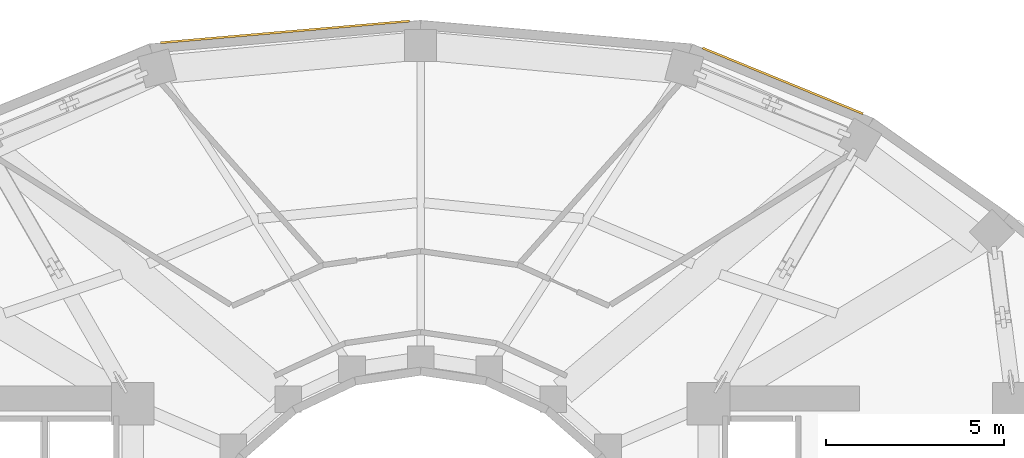
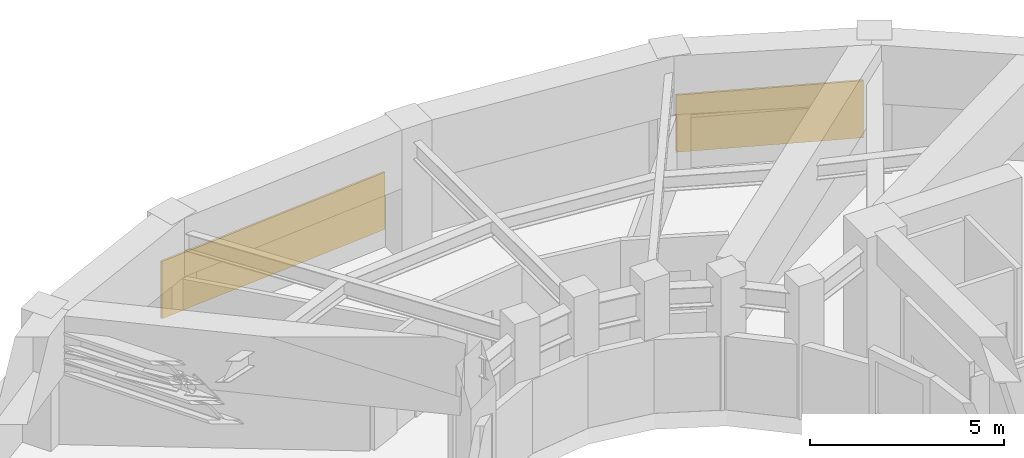
# One storey, part 10 of 10: 2 shading devices.
"""IFC4 building model written with IfcOpenShell, lengths in metres."""

import ifcopenshell
import ifcopenshell.guid

model = None  # the IFC model being written
_history = None  # IfcOwnerHistory: only IFC2X3 demands one
_inside = {}  # id of a spatial element -> (the spatial element, [elements in it])
_under = {}  # id of a project, library or spatial element -> (it, [spatial elements below it])
_declared = {}  # id of a project -> (the project, [libraries it declares])
_typed = {}  # id of a type object -> (the type object, [elements of that type])
_made_of = {}  # id of a material, layer set ... -> (it, [elements and type objects made of it])


def new_model(schema):
    """Start an empty IFC model of exactly this schema.

    Asked for "IFC4X3", IfcOpenShell would pick the latest addendum, in which some entities
    have other attributes; the version numbers below select the first issue.
    IFC2X3 requires an IfcOwnerHistory on every rooted entity: one is made here for all.
    """
    global model, _history
    if schema == "IFC4X3":
        model = ifcopenshell.file(schema_version=(4, 3, 0, 0))
    else:
        model = ifcopenshell.file(schema=schema)
    _inside.clear()
    _under.clear()
    _declared.clear()
    _typed.clear()
    _made_of.clear()
    _history = None
    if model.schema == "IFC2X3":
        org = make("IfcOrganization", Name="unknown")
        user = make(
            "IfcPersonAndOrganization",
            ThePerson=make("IfcPerson", FamilyName="unknown"),
            TheOrganization=org,
        )
        app = make(
            "IfcApplication",
            ApplicationDeveloper=org,
            Version="unknown",
            ApplicationFullName="unknown",
            ApplicationIdentifier="unknown",
        )
        _history = make(
            "IfcOwnerHistory",
            OwningUser=user,
            OwningApplication=app,
            ChangeAction="ADDED",
            CreationDate=0,
        )
    return model


def make(cls, **values):
    """One entity of the class cls with the attributes given. An attribute that is None is left unset."""
    return model.create_entity(
        cls, **{name: value for name, value in values.items() if value is not None}
    )


def rooted(cls, **values):
    """An entity with a GlobalId (a new one), such as an element, a storey or a relation."""
    return make(cls, GlobalId=ifcopenshell.guid.new(), OwnerHistory=_history, **values)


def si_unit(unit_type, name, prefix=None):
    """IfcSIUnit, for example si_unit("LENGTHUNIT", "METRE", prefix="MILLI")."""
    return make("IfcSIUnit", UnitType=unit_type, Prefix=prefix, Name=name)


def assignment(units):
    """IfcUnitAssignment: the units of a project."""
    return None if units is None else make("IfcUnitAssignment", Units=units)


def point(xyz):
    """IfcCartesianPoint."""
    return None if xyz is None else make("IfcCartesianPoint", Coordinates=xyz)


def direction(xyz):
    """IfcDirection."""
    return None if xyz is None else make("IfcDirection", DirectionRatios=xyz)


def frame(location, z_axis=None, x_axis=None):
    """IfcAxis2Placement3D, a coordinate frame: its origin and axes. An axis left out is left unset."""
    return make(
        "IfcAxis2Placement3D",
        Location=point(location),
        Axis=direction(z_axis),
        RefDirection=direction(x_axis),
    )


def frame_2d(location, x_axis=None):
    """IfcAxis2Placement2D, a coordinate frame in the plane: its origin and x axis."""
    return make(
        "IfcAxis2Placement2D", Location=point(location), RefDirection=direction(x_axis)
    )


def origin():
    """The frame at (0, 0, 0) with its axes left unset."""
    return frame((0.0, 0.0, 0.0))


def origin_2d():
    """The frame at (0, 0) in the plane with its x axis left unset."""
    return frame_2d((0.0, 0.0))


def place(relative_to, where):
    """IfcLocalPlacement: puts the frame where relative to a parent placement (None: the world)."""
    return make(
        "IfcLocalPlacement", PlacementRelTo=relative_to, RelativePlacement=where
    )


def context(
    kind, dimensions, precision=None, world=None, true_north=None, identifier=None
):
    """IfcGeometricRepresentationContext, for example the 3D "Model" context."""
    return make(
        "IfcGeometricRepresentationContext",
        ContextIdentifier=identifier,
        ContextType=kind,
        CoordinateSpaceDimension=dimensions,
        Precision=precision,
        WorldCoordinateSystem=world,
        TrueNorth=true_north,
    )


def subcontext(parent, identifier, kind, view, scale=None):
    """IfcGeometricRepresentationSubContext, for example "Body" below "Model"."""
    return make(
        "IfcGeometricRepresentationSubContext",
        ContextIdentifier=identifier,
        ContextType=kind,
        ParentContext=parent,
        TargetScale=scale,
        TargetView=view,
    )


def project(units=None, contexts=None):
    """IfcProject with its units and contexts."""
    return rooted(
        "IfcProject",
        Name="project",
        RepresentationContexts=contexts,
        UnitsInContext=assignment(units),
    )


def spatial(cls, under=None, at=None, **own):
    """A site, building, storey or space (cls), placed at a placement, below another one or the project."""
    s = rooted(cls, ObjectPlacement=at, **own)
    if under is not None:
        _under.setdefault(under.id(), (under, []))[1].append(s)
    return s


def profile(cls, at=None, kind="AREA", **sizes):
    """A parametric profile (cls). Its sizes go by their IFC names, for example OverallWidth=200.0."""
    return make(cls, ProfileType=kind, Position=at, **sizes)


def rectangle(**sizes):
    """IfcRectangleProfileDef."""
    return profile("IfcRectangleProfileDef", **sizes)


def extrude(swept, where, along, depth):
    """IfcExtrudedAreaSolid: the profile swept, set in the frame where, extruded along a direction by depth."""
    return make(
        "IfcExtrudedAreaSolid",
        SweptArea=swept,
        Position=where,
        ExtrudedDirection=direction(along),
        Depth=depth,
    )


def shape(context_of_items, identifier, shape_type, items):
    """IfcShapeRepresentation: the items that make up one representation, for example the "Body"."""
    return make(
        "IfcShapeRepresentation",
        ContextOfItems=context_of_items,
        RepresentationIdentifier=identifier,
        RepresentationType=shape_type,
        Items=items,
    )


def material(Name=None, Category=None):
    """IfcMaterial."""
    return make("IfcMaterial", Name=Name, Category=Category)


def layer(
    of_material, thickness, ventilated=None, Name=None, Category=None, Priority=None
):
    """IfcMaterialLayer: one layer of a wall or slab, of a material (None: an air gap)."""
    return make(
        "IfcMaterialLayer",
        Material=of_material,
        LayerThickness=thickness,
        IsVentilated=ventilated,
        Name=Name,
        Category=Category,
        Priority=Priority,
    )


def layer_set(layers, Name=None):
    """IfcMaterialLayerSet."""
    return make("IfcMaterialLayerSet", MaterialLayers=layers, LayerSetName=Name)


def made_of(thing, what):
    """Note that an element or type object is made of a material, layer set ...; save() writes the relation."""
    if what is not None:
        _made_of.setdefault(what.id(), (what, []))[1].append(thing)
    return thing


def type_object(cls, material=None, **own):
    """A type object (cls), such as IfcWallType, which elements share."""
    return made_of(rooted(cls, **own), material)


def element(
    cls,
    number,
    at=None,
    inside=None,
    cuts=None,
    type_object=None,
    material=None,
    context=None,
    identifier="Body",
    shape_type=None,
    held_by="IfcProductDefinitionShape",
    body=None,
    shapes=None,
    **own,
):
    """One element of the class cls, such as IfcWall. Its Tag is "e" and its number.

    at: its placement. inside: the storey or other place that contains it. cuts: it is an
    opening in that element (IfcRelVoidsElement). A single representation is given by context,
    identifier, shape_type and body (its items); several are given by shapes. held_by: the class
    of the entity that holds the representations. save() writes the other relations.
    """
    e = rooted(cls, Tag="e%d" % number, ObjectPlacement=at, **own)
    if body is not None:
        shapes = [shape(context, identifier, shape_type, body)]
    if shapes is not None:
        e.Representation = make(held_by, Representations=shapes)
    if inside is not None:
        _inside.setdefault(inside.id(), (inside, []))[1].append(e)
    if cuts is not None:
        rooted(
            "IfcRelVoidsElement", RelatingBuildingElement=cuts, RelatedOpeningElement=e
        )
    if type_object is not None:
        _typed.setdefault(type_object.id(), (type_object, []))[1].append(e)
    return made_of(e, material)


def aggregate(whole, parts):
    """IfcRelAggregates: a whole, such as a stair, and the parts it consists of."""
    return rooted("IfcRelAggregates", RelatingObject=whole, RelatedObjects=parts)


def save(model, path):
    """Write the relations noted so far, then the file.

    IfcRelAggregates (storeys below a building ...), IfcRelContainedInSpatialStructure (elements
    in a storey), IfcRelDefinesByType, IfcRelAssociatesMaterial and IfcRelDeclares: one each for
    every whole, place, type object, material and project.
    """
    for whole, parts in _under.values():
        aggregate(whole, parts)
    for where, things in _inside.values():
        rooted(
            "IfcRelContainedInSpatialStructure",
            RelatedElements=things,
            RelatingStructure=where,
        )
    for kind, things in _typed.values():
        rooted("IfcRelDefinesByType", RelatedObjects=things, RelatingType=kind)
    for what, things in _made_of.values():
        rooted("IfcRelAssociatesMaterial", RelatedObjects=things, RelatingMaterial=what)
    for by, libraries in _declared.values():
        rooted("IfcRelDeclares", RelatingContext=by, RelatedDefinitions=libraries)
    model.write(path)


model = new_model("IFC4")

# Units and contexts
model_context = context("Model", 3, precision=1e-05, world=origin(), true_north=direction((0.0, 1.0)))
body_context = subcontext(model_context, "Body", "Model", "MODEL_VIEW")
ifc_project = project(units=[si_unit("LENGTHUNIT", "METRE"), si_unit("AREAUNIT", "SQUARE_METRE"), si_unit("VOLUMEUNIT", "CUBIC_METRE"), si_unit("PLANEANGLEUNIT", "RADIAN"), si_unit("MASSUNIT", "GRAM", prefix="KILO")], contexts=[model_context])

# Site, building, storey
site_placement = place(None, origin())
site = spatial("IfcSite", under=ifc_project, at=site_placement, CompositionType="ELEMENT")
building_placement = place(site_placement, origin())
building = spatial("IfcBuilding", under=site, at=building_placement, Name="Solvane Sanctuary Tower", CompositionType="ELEMENT")
storey_placement = place(building_placement, frame((0.0, 0.0, 129.0)))
storey = spatial("IfcBuildingStorey", under=building, at=storey_placement, Name="L39", CompositionType="ELEMENT", Elevation=129.0)

# Shading devices
ifc_material = material(Name="Anodised Aluminium 6063-T6", Category="aluminium")
ifc_layer = layer(ifc_material, 0.06005859375, Name="Anodised Aluminium 6063-T6")
ifc_layer_set = layer_set([ifc_layer], Name="Anodised Aluminium 6063-T6")
shading_device_type = type_object("IfcShadingDeviceType", Name="Shading SHD-LOUVRE", PredefinedType="JALOUSIE", material=ifc_layer_set)
shading_device_1_placement = place(storey_placement, frame((42.1923828125, 39.29052734375, 0.35009765625), z_axis=(0.0, 0.0, 1.0), x_axis=(-0.925369245035, 0.379066960237, 0.0)))
element("IfcShadingDevice", 1, at=shading_device_1_placement, inside=storey, type_object=shading_device_type, Name="L39 Plant Intake Louvre 04", PredefinedType="JALOUSIE", context=body_context, shape_type="SweptSolid", body=[
    extrude(rectangle(XDim=4.88037109375, YDim=0.06005859375, at=origin_2d()), origin(), (0.0, 0.0, 1.0), 1.800048828125),
])
shading_device_2_placement = place(storey_placement, frame((28.18603515625, 40.669189453125, 0.35009765625), z_axis=(0.0, 0.0, 1.0), x_axis=(-0.996249565055, -0.086526320429, 0.0)))
element("IfcShadingDevice", 2, at=shading_device_2_placement, inside=storey, type_object=shading_device_type, Name="L39 Plant Intake Louvre 06", PredefinedType="JALOUSIE", context=body_context, shape_type="SweptSolid", body=[
    extrude(rectangle(XDim=7.0322265625, YDim=0.06005859375, at=origin_2d()), origin(), (0.0, 0.0, 1.0), 1.800048828125),
])

save(model, "model.ifc")
